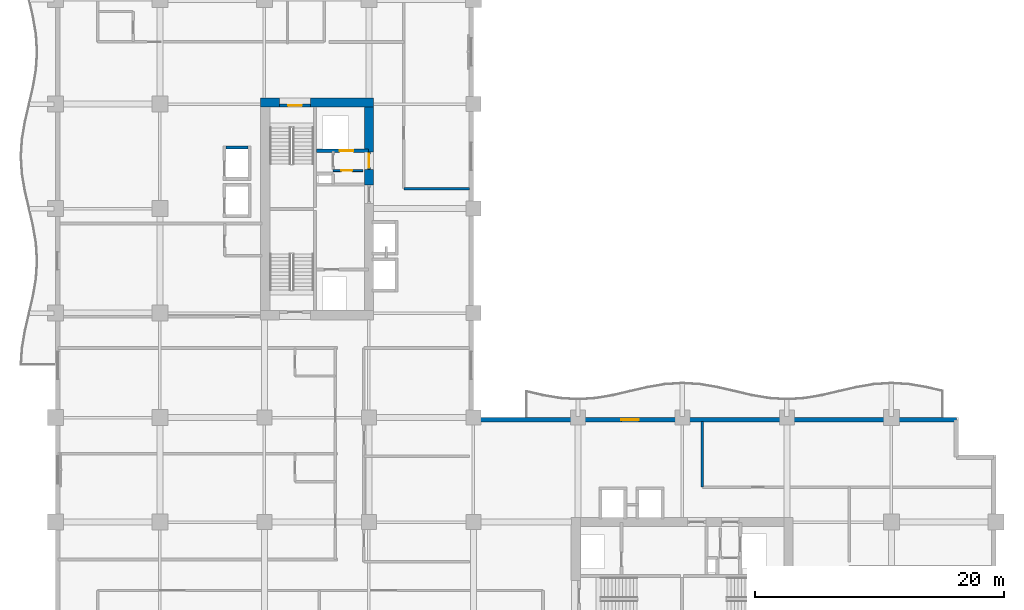
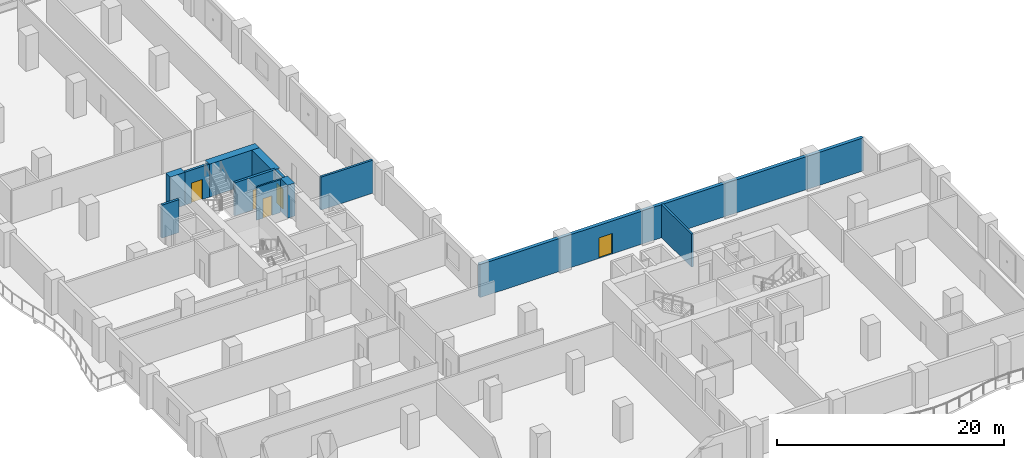
# One storey, part 11 of 22: 12 walls, 5 doors, 5 openings.
"""IFC4 building model written with IfcOpenShell, lengths in metres."""

import ifcopenshell
import ifcopenshell.guid

model = None  # the IFC model being written
_history = None  # IfcOwnerHistory: only IFC2X3 demands one
_inside = {}  # id of a spatial element -> (the spatial element, [elements in it])
_under = {}  # id of a project, library or spatial element -> (it, [spatial elements below it])
_declared = {}  # id of a project -> (the project, [libraries it declares])
_typed = {}  # id of a type object -> (the type object, [elements of that type])
_made_of = {}  # id of a material, layer set ... -> (it, [elements and type objects made of it])


def new_model(schema):
    """Start an empty IFC model of exactly this schema.

    Asked for "IFC4X3", IfcOpenShell would pick the latest addendum, in which some entities
    have other attributes; the version numbers below select the first issue.
    IFC2X3 requires an IfcOwnerHistory on every rooted entity: one is made here for all.
    """
    global model, _history
    if schema == "IFC4X3":
        model = ifcopenshell.file(schema_version=(4, 3, 0, 0))
    else:
        model = ifcopenshell.file(schema=schema)
    _inside.clear()
    _under.clear()
    _declared.clear()
    _typed.clear()
    _made_of.clear()
    _history = None
    if model.schema == "IFC2X3":
        org = make("IfcOrganization", Name="unknown")
        user = make(
            "IfcPersonAndOrganization",
            ThePerson=make("IfcPerson", FamilyName="unknown"),
            TheOrganization=org,
        )
        app = make(
            "IfcApplication",
            ApplicationDeveloper=org,
            Version="unknown",
            ApplicationFullName="unknown",
            ApplicationIdentifier="unknown",
        )
        _history = make(
            "IfcOwnerHistory",
            OwningUser=user,
            OwningApplication=app,
            ChangeAction="ADDED",
            CreationDate=0,
        )
    return model


def make(cls, **values):
    """One entity of the class cls with the attributes given. An attribute that is None is left unset."""
    return model.create_entity(
        cls, **{name: value for name, value in values.items() if value is not None}
    )


def rooted(cls, **values):
    """An entity with a GlobalId (a new one), such as an element, a storey or a relation."""
    return make(cls, GlobalId=ifcopenshell.guid.new(), OwnerHistory=_history, **values)


def si_unit(unit_type, name, prefix=None):
    """IfcSIUnit, for example si_unit("LENGTHUNIT", "METRE", prefix="MILLI")."""
    return make("IfcSIUnit", UnitType=unit_type, Prefix=prefix, Name=name)


def assignment(units):
    """IfcUnitAssignment: the units of a project."""
    return None if units is None else make("IfcUnitAssignment", Units=units)


def point(xyz):
    """IfcCartesianPoint."""
    return None if xyz is None else make("IfcCartesianPoint", Coordinates=xyz)


def direction(xyz):
    """IfcDirection."""
    return None if xyz is None else make("IfcDirection", DirectionRatios=xyz)


def frame(location, z_axis=None, x_axis=None):
    """IfcAxis2Placement3D, a coordinate frame: its origin and axes. An axis left out is left unset."""
    return make(
        "IfcAxis2Placement3D",
        Location=point(location),
        Axis=direction(z_axis),
        RefDirection=direction(x_axis),
    )


def frame_2d(location, x_axis=None):
    """IfcAxis2Placement2D, a coordinate frame in the plane: its origin and x axis."""
    return make(
        "IfcAxis2Placement2D", Location=point(location), RefDirection=direction(x_axis)
    )


def origin():
    """The frame at (0, 0, 0) with its axes left unset."""
    return frame((0.0, 0.0, 0.0))


def place(relative_to, where):
    """IfcLocalPlacement: puts the frame where relative to a parent placement (None: the world)."""
    return make(
        "IfcLocalPlacement", PlacementRelTo=relative_to, RelativePlacement=where
    )


def context(
    kind, dimensions, precision=None, world=None, true_north=None, identifier=None
):
    """IfcGeometricRepresentationContext, for example the 3D "Model" context."""
    return make(
        "IfcGeometricRepresentationContext",
        ContextIdentifier=identifier,
        ContextType=kind,
        CoordinateSpaceDimension=dimensions,
        Precision=precision,
        WorldCoordinateSystem=world,
        TrueNorth=true_north,
    )


def subcontext(parent, identifier, kind, view, scale=None):
    """IfcGeometricRepresentationSubContext, for example "Body" below "Model"."""
    return make(
        "IfcGeometricRepresentationSubContext",
        ContextIdentifier=identifier,
        ContextType=kind,
        ParentContext=parent,
        TargetScale=scale,
        TargetView=view,
    )


def project(units=None, contexts=None):
    """IfcProject with its units and contexts."""
    return rooted(
        "IfcProject",
        Name="project",
        RepresentationContexts=contexts,
        UnitsInContext=assignment(units),
    )


def spatial(cls, under=None, at=None, **own):
    """A site, building, storey or space (cls), placed at a placement, below another one or the project."""
    s = rooted(cls, ObjectPlacement=at, **own)
    if under is not None:
        _under.setdefault(under.id(), (under, []))[1].append(s)
    return s


def profile(cls, at=None, kind="AREA", **sizes):
    """A parametric profile (cls). Its sizes go by their IFC names, for example OverallWidth=200.0."""
    return make(cls, ProfileType=kind, Position=at, **sizes)


def rectangle(**sizes):
    """IfcRectangleProfileDef."""
    return profile("IfcRectangleProfileDef", **sizes)


def extrude(swept, where, along, depth):
    """IfcExtrudedAreaSolid: the profile swept, set in the frame where, extruded along a direction by depth."""
    return make(
        "IfcExtrudedAreaSolid",
        SweptArea=swept,
        Position=where,
        ExtrudedDirection=direction(along),
        Depth=depth,
    )


def shape(context_of_items, identifier, shape_type, items):
    """IfcShapeRepresentation: the items that make up one representation, for example the "Body"."""
    return make(
        "IfcShapeRepresentation",
        ContextOfItems=context_of_items,
        RepresentationIdentifier=identifier,
        RepresentationType=shape_type,
        Items=items,
    )


def material(Name=None, Category=None):
    """IfcMaterial."""
    return make("IfcMaterial", Name=Name, Category=Category)


def layer(
    of_material, thickness, ventilated=None, Name=None, Category=None, Priority=None
):
    """IfcMaterialLayer: one layer of a wall or slab, of a material (None: an air gap)."""
    return make(
        "IfcMaterialLayer",
        Material=of_material,
        LayerThickness=thickness,
        IsVentilated=ventilated,
        Name=Name,
        Category=Category,
        Priority=Priority,
    )


def layer_set(layers, Name=None):
    """IfcMaterialLayerSet."""
    return make("IfcMaterialLayerSet", MaterialLayers=layers, LayerSetName=Name)


def made_of(thing, what):
    """Note that an element or type object is made of a material, layer set ...; save() writes the relation."""
    if what is not None:
        _made_of.setdefault(what.id(), (what, []))[1].append(thing)
    return thing


def type_object(cls, material=None, **own):
    """A type object (cls), such as IfcWallType, which elements share."""
    return made_of(rooted(cls, **own), material)


def element(
    cls,
    number,
    at=None,
    inside=None,
    cuts=None,
    type_object=None,
    material=None,
    context=None,
    identifier="Body",
    shape_type=None,
    held_by="IfcProductDefinitionShape",
    body=None,
    shapes=None,
    **own,
):
    """One element of the class cls, such as IfcWall. Its Tag is "e" and its number.

    at: its placement. inside: the storey or other place that contains it. cuts: it is an
    opening in that element (IfcRelVoidsElement). A single representation is given by context,
    identifier, shape_type and body (its items); several are given by shapes. held_by: the class
    of the entity that holds the representations. save() writes the other relations.
    """
    e = rooted(cls, Tag="e%d" % number, ObjectPlacement=at, **own)
    if body is not None:
        shapes = [shape(context, identifier, shape_type, body)]
    if shapes is not None:
        e.Representation = make(held_by, Representations=shapes)
    if inside is not None:
        _inside.setdefault(inside.id(), (inside, []))[1].append(e)
    if cuts is not None:
        rooted(
            "IfcRelVoidsElement", RelatingBuildingElement=cuts, RelatedOpeningElement=e
        )
    if type_object is not None:
        _typed.setdefault(type_object.id(), (type_object, []))[1].append(e)
    return made_of(e, material)


def fill(opening, filler):
    """IfcRelFillsElement: the door or window that sits in an opening."""
    return rooted(
        "IfcRelFillsElement",
        RelatingOpeningElement=opening,
        RelatedBuildingElement=filler,
    )


def aggregate(whole, parts):
    """IfcRelAggregates: a whole, such as a stair, and the parts it consists of."""
    return rooted("IfcRelAggregates", RelatingObject=whole, RelatedObjects=parts)


def save(model, path):
    """Write the relations noted so far, then the file.

    IfcRelAggregates (storeys below a building ...), IfcRelContainedInSpatialStructure (elements
    in a storey), IfcRelDefinesByType, IfcRelAssociatesMaterial and IfcRelDeclares: one each for
    every whole, place, type object, material and project.
    """
    for whole, parts in _under.values():
        aggregate(whole, parts)
    for where, things in _inside.values():
        rooted(
            "IfcRelContainedInSpatialStructure",
            RelatedElements=things,
            RelatingStructure=where,
        )
    for kind, things in _typed.values():
        rooted("IfcRelDefinesByType", RelatedObjects=things, RelatingType=kind)
    for what, things in _made_of.values():
        rooted("IfcRelAssociatesMaterial", RelatedObjects=things, RelatingMaterial=what)
    for by, libraries in _declared.values():
        rooted("IfcRelDeclares", RelatingContext=by, RelatedDefinitions=libraries)
    model.write(path)


model = new_model("IFC4")

# Units and contexts
model_context = context("Model", 3, precision=1e-05, world=origin(), true_north=direction((0.0, 1.0)))
body_context = subcontext(model_context, "Body", "Model", "MODEL_VIEW")
ifc_project = project(units=[si_unit("LENGTHUNIT", "METRE"), si_unit("AREAUNIT", "SQUARE_METRE"), si_unit("VOLUMEUNIT", "CUBIC_METRE"), si_unit("PLANEANGLEUNIT", "RADIAN"), si_unit("MASSUNIT", "GRAM", prefix="KILO")], contexts=[model_context])

# Site, building, storey
site_placement = place(None, origin())
site = spatial("IfcSite", under=ifc_project, at=site_placement, CompositionType="ELEMENT")
building_placement = place(site_placement, origin())
building = spatial("IfcBuilding", under=site, at=building_placement, Name="Koriwani Terraces Tower", CompositionType="ELEMENT")
storey_placement = place(building_placement, frame((0.0, 0.0, 141.800048828125)))
storey = spatial("IfcBuildingStorey", under=building, at=storey_placement, Name="L34", CompositionType="ELEMENT", Elevation=141.800048828125)

# Walls
ifc_material_1 = material(Name="Concrete C60/75", Category="concrete")
ifc_layer_1 = layer(ifc_material_1, 0.75, Name="Concrete C60/75")
ifc_layer_set_1 = layer_set([ifc_layer_1], Name="Concrete C60/75")
wall_type_1 = type_object("IfcWallType", Name="WALL_CORE_RC_750", PredefinedType="SHEAR", material=ifc_layer_set_1)
wall_1_placement = place(storey_placement, frame((16.5, 58.925048828125, 0.0), z_axis=(0.0, 0.0, 1.0), x_axis=(1.0, 0.0, 0.0)))
element("IfcWall", 1, at=wall_1_placement, inside=storey, type_object=wall_type_1, Name="L34 West Split Core Shear Wall N1", PredefinedType="SHEAR", context=body_context, shape_type="SweptSolid", body=[
    extrude(rectangle(XDim=1.5, YDim=0.75, at=frame_2d((0.75, 0.0))), origin(), (0.0, 0.0, 1.0), 3.550048828125),
])
wall_2_placement = place(storey_placement, frame((20.5, 58.925048828125, 0.0), z_axis=(0.0, 0.0, 1.0), x_axis=(1.0, 0.0, 0.0)))
element("IfcWall", 2, at=wall_2_placement, inside=storey, type_object=wall_type_1, Name="L34 West Split Core Shear Wall N2", PredefinedType="SHEAR", context=body_context, shape_type="SweptSolid", body=[
    extrude(rectangle(XDim=5.074951171875, YDim=0.75, at=frame_2d((2.53759765625, 0.0))), origin(), (0.0, 0.0, 1.0), 3.550048828125),
])
wall_3_placement = place(storey_placement, frame((25.199951171875, 52.280029296875, 0.0), z_axis=(0.0, 0.0, 1.0), x_axis=(0.0, 1.0, 0.0)))
element("IfcWall", 3, at=wall_3_placement, inside=storey, type_object=wall_type_1, Name="L34 West Split Core Shear Wall E2", PredefinedType="SHEAR", context=body_context, shape_type="SweptSolid", body=[
    extrude(rectangle(XDim=1.27001953125, YDim=0.75, at=frame_2d((0.635009765625, 0.0))), origin(), (0.0, 0.0, 1.0), 3.550048828125),
])
wall_4_placement = place(storey_placement, frame((25.199951171875, 54.949951171875, 0.0), z_axis=(0.0, 0.0, 1.0), x_axis=(0.0, 1.0, 0.0)))
element("IfcWall", 4, at=wall_4_placement, inside=storey, type_object=wall_type_1, Name="L34 West Split Core Shear Wall E3", PredefinedType="SHEAR", context=body_context, shape_type="SweptSolid", body=[
    extrude(rectangle(XDim=3.60009765625, YDim=0.75, at=frame_2d((1.800048828125, 0.0))), origin(), (0.0, 0.0, 1.0), 3.550048828125),
])
ifc_material_2 = material(Name="Autoclaved Cellular Concrete Blockwork", Category="masonry")
ifc_layer_2 = layer(ifc_material_2, 0.219970703125, Name="Autoclaved Cellular Concrete Blockwork")
ifc_layer_set_2 = layer_set([ifc_layer_2], Name="Autoclaved Cellular Concrete Blockwork")
wall_type_2 = type_object("IfcWallType", Name="WALL_DEMISING_220", PredefinedType="PARTITIONING", material=ifc_layer_set_2)
for number, where, z_axis, x_axis, name in (
    (5, (28.0, 52.0, 0.0), (0.0, 0.0, 1.0), (1.0, 0.0, 0.0), "L34 Interior Wall WNWT2-S-L34"),
    (6, (52.0, 28.0, 0.0), (0.0, 0.0, 1.0), (0.0, 1.0, 0.0), "L34 Interior Wall WSET2-W-L34"),
):
    element("IfcWall", number, at=place(storey_placement, frame(where, z_axis=z_axis, x_axis=x_axis)), inside=storey, type_object=wall_type_2, Name=name, PredefinedType="PARTITIONING", context=body_context, shape_type="SweptSolid", body=[
        extrude(rectangle(XDim=5.300048828125, YDim=0.219970703125, at=frame_2d((2.64990234375, 0.0))), origin(), (0.0, 0.0, 1.0), 3.550048828125),
    ])

# Wall, opening, door
ifc_material_3 = material(Name="Concrete C50/60", Category="concrete")
ifc_layer_3 = layer(ifc_material_3, 0.35009765625, Name="Concrete C50/60")
ifc_layer_set_3 = layer_set([ifc_layer_3], Name="Concrete C50/60")
wall_type_3 = type_object("IfcWallType", Name="WALL_EXT_BRUTALIST_350", PredefinedType="STANDARD", material=ifc_layer_set_3)
wall_5_placement = place(storey_placement, frame((33.425048828125, 33.425048828125, 0.0), z_axis=(0.0, 0.0, 1.0), x_axis=(1.0, 0.0, 0.0)))
wall_5 = element("IfcWall", 7, at=wall_5_placement, inside=storey, type_object=wall_type_3, Name="L34 Fair-Faced Brutalist Exterior Wall (NE)", PredefinedType="STANDARD", context=body_context, shape_type="SweptSolid", body=[
    extrude(rectangle(XDim=39.0, YDim=0.35009765625, at=frame_2d((19.5, 0.0))), origin(), (0.0, 0.0, 1.0), 3.550048828125),
])
opening_1_placement = place(wall_5_placement, frame((12.074951171875, 0.0, 0.0)))
opening_1 = element("IfcOpeningElement", 8, at=opening_1_placement, cuts=wall_5, Name="Opening D-09", PredefinedType="OPENING", context=body_context, shape_type="SweptSolid", body=[
    extrude(rectangle(XDim=1.39990234375, YDim=2.199951171875, at=frame_2d((0.699951171875, 1.10009765625))), frame((0.0, 0.18505859375, 0.0), z_axis=(0.0, -1.0, 0.0), x_axis=(1.0, 0.0, 0.0)), (0.0, 0.0, 1.0), 0.3701171875),
])
ifc_material_4 = material(Name="Anodised Bronze Aluminium", Category="aluminium")
door_type_1 = type_object("IfcDoorType", Name="DOOR_BALCONY_GLAZED_1400X2200", OperationType="NOTDEFINED", PredefinedType="DOOR", material=ifc_material_4)
door_1_placement = place(opening_1_placement, origin())
door_1 = element("IfcDoor", 9, at=door_1_placement, inside=storey, type_object=door_type_1, Name="L34 Inner Court Balcony Glazed Door", OperationType="SINGLE_SWING_LEFT", OverallHeight=2.199951171875, OverallWidth=1.39990234375, PredefinedType="DOOR", context=body_context, shape_type="SweptSolid", body=[
    extrude(rectangle(XDim=1.39990234375, YDim=2.199951171875, at=frame_2d((0.699951171875, 1.10009765625))), frame((0.0, 0.02490234375, 0.0), z_axis=(0.0, -1.0, 0.0), x_axis=(1.0, 0.0, 0.0)), (0.0, 0.0, 1.0), 0.050048828125),
])
fill(opening_1, door_1)

ifc_material_5 = material(Name="Concrete C40/50", Category="concrete")
ifc_layer_4 = layer(ifc_material_5, 0.25, Name="Concrete C40/50")
ifc_layer_set_4 = layer_set([ifc_layer_4], Name="Concrete C40/50")
wall_type_4 = type_object("IfcWallType", Name="WALL_SHAFT_RATED_250", PredefinedType="SOLIDWALL", material=ifc_layer_set_4)
wall_6_placement = place(storey_placement, frame((18.0, 58.675048828125, 0.0), z_axis=(0.0, 0.0, 1.0), x_axis=(1.0, 0.0, 0.0)))
wall_6 = element("IfcWall", 10, at=wall_6_placement, inside=storey, type_object=wall_type_4, Name="L34 Interior Wall WIN-CW-L34-STN", PredefinedType="SOLIDWALL", context=body_context, shape_type="SweptSolid", body=[
    extrude(rectangle(XDim=2.5, YDim=0.25, at=frame_2d((1.25, 0.0))), origin(), (0.0, 0.0, 1.0), 3.550048828125),
])
opening_2_placement = place(wall_6_placement, frame((0.699951171875, 0.0, 0.0)))
opening_2 = element("IfcOpeningElement", 11, at=opening_2_placement, cuts=wall_6, Name="Opening D-03", PredefinedType="OPENING", context=body_context, shape_type="SweptSolid", body=[
    extrude(rectangle(XDim=1.10009765625, YDim=2.14990234375, at=frame_2d((0.550048828125, 1.074951171875))), frame((0.0, 0.135009765625, 0.0), z_axis=(0.0, -1.0, 0.0), x_axis=(1.0, 0.0, 0.0)), (0.0, 0.0, 1.0), 0.27001953125),
])
ifc_material_6 = material(Name="Steel ASTM A572 Grade 50", Category="steel")
door_type_2 = type_object("IfcDoorType", Name="DOOR_STAIR_FIRE_1100X2150", OperationType="NOTDEFINED", PredefinedType="DOOR", material=ifc_material_6)
door_2_placement = place(opening_2_placement, origin())
door_2 = element("IfcDoor", 12, at=door_2_placement, inside=storey, type_object=door_type_2, Name="L34 Exit Stair ST-W2 Door", OperationType="SINGLE_SWING_LEFT", OverallHeight=2.14990234375, OverallWidth=1.10009765625, PredefinedType="DOOR", context=body_context, shape_type="SweptSolid", body=[
    extrude(rectangle(XDim=1.10009765625, YDim=2.14990234375, at=frame_2d((0.550048828125, 1.074951171875))), frame((0.0, 0.02490234375, 0.0), z_axis=(0.0, -1.0, 0.0), x_axis=(1.0, 0.0, 0.0)), (0.0, 0.0, 1.0), 0.050048828125),
])
fill(opening_2, door_2)

wall_7_placement = place(storey_placement, frame((21.0, 55.050048828125, 0.0), z_axis=(0.0, 0.0, 1.0), x_axis=(1.0, 0.0, 0.0)))
wall_7 = element("IfcWall", 13, at=wall_7_placement, inside=storey, type_object=wall_type_4, Name="L34 Interior Wall WIN-CW-L34-SE", PredefinedType="SOLIDWALL", context=body_context, shape_type="SweptSolid", body=[
    extrude(rectangle(XDim=4.14990234375, YDim=0.25, at=frame_2d((2.074951171875, 0.0))), origin(), (0.0, 0.0, 1.0), 3.550048828125),
])
opening_3_placement = place(wall_7_placement, frame((1.85009765625, 0.0, 0.0)))
opening_3 = element("IfcOpeningElement", 14, at=opening_3_placement, cuts=wall_7, Name="Opening LD-01", PredefinedType="OPENING", context=body_context, shape_type="SweptSolid", body=[
    extrude(rectangle(XDim=1.10009765625, YDim=2.14990234375, at=frame_2d((0.550048828125, 1.074951171875))), frame((0.0, 0.135009765625, 0.0), z_axis=(0.0, -1.0, 0.0), x_axis=(1.0, 0.0, 0.0)), (0.0, 0.0, 1.0), 0.27001953125),
])
door_type_3 = type_object("IfcDoorType", Name="DOOR_LIFT_LANDING_1100X2200", OperationType="NOTDEFINED", PredefinedType="DOOR", material=ifc_material_6)
door_3_placement = place(opening_3_placement, origin())
door_3 = element("IfcDoor", 15, at=door_3_placement, inside=storey, type_object=door_type_3, Name="L34 Goods Lift SE-01 Landing Door", OperationType="SLIDING_TO_LEFT", OverallHeight=2.14990234375, OverallWidth=1.10009765625, PredefinedType="DOOR", context=body_context, shape_type="SweptSolid", body=[
    extrude(rectangle(XDim=1.10009765625, YDim=2.14990234375, at=frame_2d((0.550048828125, 1.074951171875))), frame((0.0, 0.02490234375, 0.0), z_axis=(0.0, -1.0, 0.0), x_axis=(1.0, 0.0, 0.0)), (0.0, 0.0, 1.0), 0.050048828125),
])
fill(opening_3, door_3)

wall_8_placement = place(storey_placement, frame((25.199951171875, 53.550048828125, 0.0), z_axis=(0.0, 0.0, 1.0), x_axis=(0.0, 1.0, 0.0)))
wall_8 = element("IfcWall", 16, at=wall_8_placement, inside=storey, type_object=wall_type_4, Name="L34 Interior Wall WIN-CW-L34-EP2", PredefinedType="SOLIDWALL", context=body_context, shape_type="SweptSolid", body=[
    extrude(rectangle(XDim=1.39990234375, YDim=0.25, at=frame_2d((0.699951171875, 0.0))), origin(), (0.0, 0.0, 1.0), 3.550048828125),
])
opening_4_placement = place(wall_8_placement, frame((0.14990234375, 0.0, 0.0)))
opening_4 = element("IfcOpeningElement", 17, at=opening_4_placement, cuts=wall_8, Name="Opening D-03", PredefinedType="OPENING", context=body_context, shape_type="SweptSolid", body=[
    extrude(rectangle(XDim=1.10009765625, YDim=2.14990234375, at=frame_2d((0.550048828125, 1.074951171875))), frame((0.0, 0.135009765625, 0.0), z_axis=(0.0, -1.0, 0.0), x_axis=(1.0, 0.0, 0.0)), (0.0, 0.0, 1.0), 0.27001953125),
])
door_4_placement = place(opening_4_placement, origin())
door_4 = element("IfcDoor", 18, at=door_4_placement, inside=storey, type_object=door_type_2, Name="L34 West Goods Lift Lobby Door", OperationType="SINGLE_SWING_LEFT", OverallHeight=2.14990234375, OverallWidth=1.10009765625, PredefinedType="DOOR", context=body_context, shape_type="SweptSolid", body=[
    extrude(rectangle(XDim=1.10009765625, YDim=2.14990234375, at=frame_2d((0.550048828125, 1.074951171875))), frame((0.0, 0.02490234375, 0.0), z_axis=(0.0, -1.0, 0.0), x_axis=(1.0, 0.0, 0.0)), (0.0, 0.0, 1.0), 0.050048828125),
])
fill(opening_4, door_4)

# Wall
wall_9_placement = place(storey_placement, frame((13.72509765625, 55.300048828125, 0.0), z_axis=(0.0, 0.0, 1.0), x_axis=(1.0, 0.0, 0.0)))
element("IfcWall", 19, at=wall_9_placement, inside=storey, type_object=wall_type_4, Name="L34 Interior Wall WIN-LF-PE-M2-L34-N", PredefinedType="SOLIDWALL", context=body_context, shape_type="SweptSolid", body=[
    extrude(rectangle(XDim=1.75, YDim=0.25, at=frame_2d((0.875, 0.0))), origin(), (0.0, 0.0, 1.0), 3.550048828125),
])

# Wall, opening, door
ifc_material_7 = material(Name="Fire-Rated Acoustic Gypsum Partition", Category="masonry")
ifc_layer_5 = layer(ifc_material_7, 0.159912109375, Name="Fire-Rated Acoustic Gypsum Partition")
ifc_layer_set_5 = layer_set([ifc_layer_5], Name="Fire-Rated Acoustic Gypsum Partition")
wall_type_5 = type_object("IfcWallType", Name="WALL_SUITE_160", PredefinedType="PARTITIONING", material=ifc_layer_set_5)
wall_10_placement = place(storey_placement, frame((22.320068359375, 53.4599609375, 0.0), z_axis=(0.0, 0.0, 1.0), x_axis=(1.0, 0.0, 0.0)))
wall_10 = element("IfcWall", 20, at=wall_10_placement, inside=storey, type_object=wall_type_5, Name="L34 Interior Wall WIN-CW-L34-SV1B", PredefinedType="PARTITIONING", context=body_context, shape_type="SweptSolid", body=[
    extrude(rectangle(XDim=2.39990234375, YDim=0.159912109375, at=frame_2d((1.199951171875, 0.0))), origin(), (0.0, 0.0, 1.0), 3.550048828125),
])
opening_5_placement = place(wall_10_placement, frame((0.64990234375, 0.0, 0.0)))
opening_5 = element("IfcOpeningElement", 21, at=opening_5_placement, cuts=wall_10, Name="Opening D-07", PredefinedType="OPENING", context=body_context, shape_type="SweptSolid", body=[
    extrude(rectangle(XDim=0.89990234375, YDim=2.10009765625, at=frame_2d((0.449951171875, 1.050048828125))), frame((0.0, 0.08984375, 0.0), z_axis=(0.0, -1.0, 0.0), x_axis=(1.0, 0.0, 0.0)), (0.0, 0.0, 1.0), 0.179931640625),
])
ifc_material_8 = material(Name="Architectural Oak Fire Door", Category="wood")
door_type_4 = type_object("IfcDoorType", Name="DOOR_BATH_INT_900X2100", OperationType="NOTDEFINED", PredefinedType="DOOR", material=ifc_material_8)
door_5_placement = place(opening_5_placement, origin())
door_5 = element("IfcDoor", 22, at=door_5_placement, inside=storey, type_object=door_type_4, Name="L34 West Cleaners Closet Door", OperationType="SINGLE_SWING_LEFT", OverallHeight=2.10009765625, OverallWidth=0.89990234375, PredefinedType="DOOR", context=body_context, shape_type="SweptSolid", body=[
    extrude(rectangle(XDim=0.89990234375, YDim=2.10009765625, at=frame_2d((0.449951171875, 1.050048828125))), frame((0.0, 0.02490234375, 0.0), z_axis=(0.0, -1.0, 0.0), x_axis=(1.0, 0.0, 0.0)), (0.0, 0.0, 1.0), 0.050048828125),
])
fill(opening_5, door_5)

save(model, "model.ifc")
